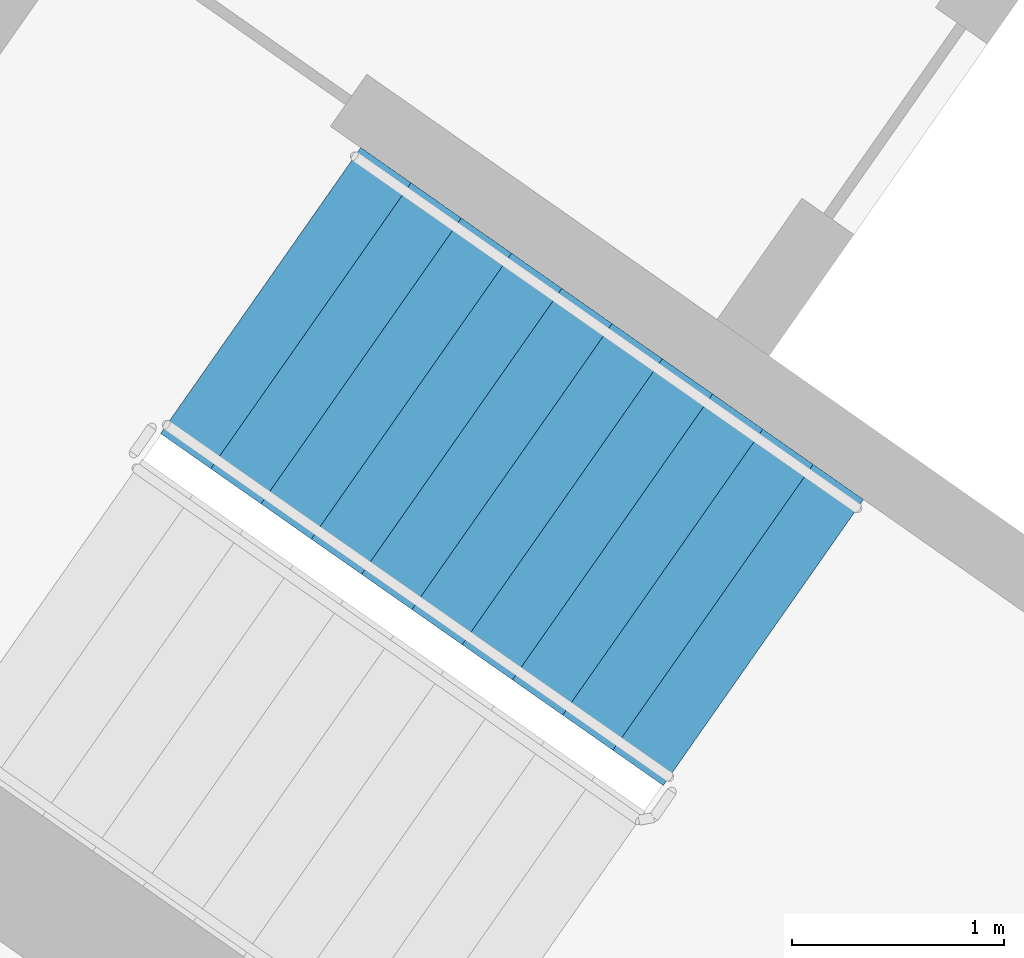
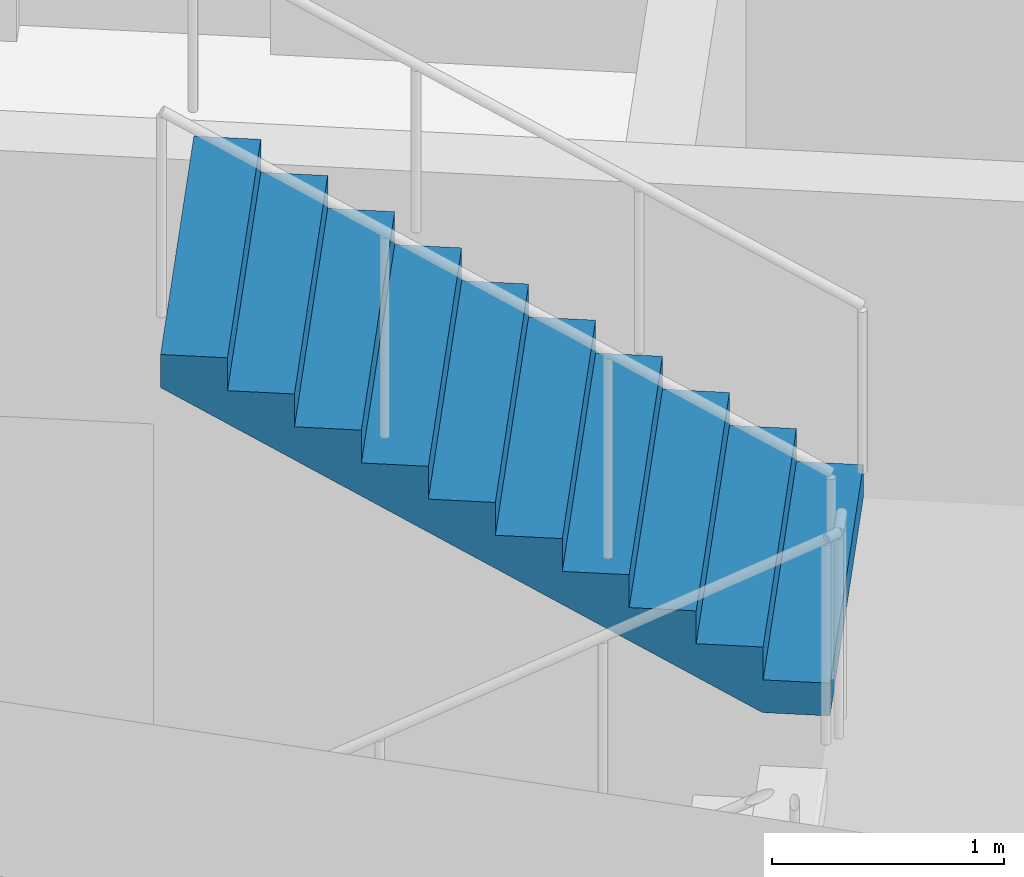
# One storey, part 10 of 27: 1 stair flight, 1 element without a shape of its own.
"""IFC4 building model written with IfcOpenShell, lengths in metres."""

from ifc_helpers import new_model, si_unit, direction, frame, origin, place, context, subcontext, project, spatial, faceted_brep, material, type_object, element, aggregate, save


model = new_model("IFC4")

# Units and contexts
model_context = context("Model", 3, precision=1e-05, world=origin(), true_north=direction((0.0, 1.0)))
body_context = subcontext(model_context, "Body", "Model", "MODEL_VIEW")
ifc_project = project(units=[si_unit("LENGTHUNIT", "METRE"), si_unit("AREAUNIT", "SQUARE_METRE"), si_unit("VOLUMEUNIT", "CUBIC_METRE"), si_unit("PLANEANGLEUNIT", "RADIAN"), si_unit("MASSUNIT", "GRAM", prefix="KILO")], contexts=[model_context])

# Site, building, storey
site_placement = place(None, origin())
site = spatial("IfcSite", under=ifc_project, at=site_placement, CompositionType="ELEMENT")
building_placement = place(site_placement, origin())
building = spatial("IfcBuilding", under=site, at=building_placement, Name="Qamariyya Broadcast Tower", CompositionType="ELEMENT")
storey_placement = place(building_placement, frame((0.0, 0.0, 237.89990234375)))
storey = spatial("IfcBuildingStorey", under=building, at=storey_placement, Name="L57", CompositionType="ELEMENT", Elevation=237.89990234375)

# Stair, stair flight
ifc_material = material(Name="Concrete C50/60", Category="concrete")
stair_type = type_object("IfcStairType", Name="Exit stair 22 risers of 173 mm", PredefinedType="HALF_TURN_STAIR", material=ifc_material)
stair_placement = place(storey_placement, origin())
stair = element("IfcStair", 1, at=stair_placement, inside=storey, type_object=stair_type, Name="L57 Stair W1", PredefinedType="HALF_TURN_STAIR")
stair_flight_type = type_object("IfcStairFlightType", Name="Exit stair flight 11 risers of 173 mm", PredefinedType="STRAIGHT", material=ifc_material)
stair_flight_placement = place(storey_placement, frame((-43.660888671875, -57.17138671875, 1.900146484375), z_axis=(0.0, 0.0, 1.0), x_axis=(-0.819152044289, 0.573576436351, 0.0)))
stair_flight = element("IfcStairFlight", 2, at=stair_flight_placement, type_object=stair_flight_type, Name="ST-W1 flight 2", NumberOfRisers=11, NumberOfTreads=10, PredefinedType="STRAIGHT", RiserHeight=0.172727273, TreadLength=0.29, context=body_context, shape_type="Brep", body=[
    faceted_brep([(0.0, 0.824951171875, 0.0), (0.0, 0.824951171875, 0.172607421875), (0.2900390625, 0.824951171875, 0.172607421875), (0.2900390625, 0.824951171875, 0.345458984375), (0.580078125, 0.824951171875, 0.345458984375), (0.580078125, 0.824951171875, 0.51806640625), (0.8701171875, 0.824951171875, 0.51806640625), (0.8701171875, 0.824951171875, 0.69091796875), (1.159912109375, 0.824951171875, 0.69091796875), (1.159912109375, 0.824951171875, 0.863525390625), (1.449951171875, 0.824951171875, 0.863525390625), (1.449951171875, 0.824951171875, 1.036376953125), (1.739990234375, 0.824951171875, 1.036376953125), (1.739990234375, 0.824951171875, 1.208984375), (2.030029296875, 0.824951171875, 1.208984375), (2.030029296875, 0.824951171875, 1.3818359375), (2.320068359375, 0.824951171875, 1.3818359375), (2.320068359375, 0.824951171875, 1.554443359375), (2.610107421875, 0.824951171875, 1.554443359375), (2.610107421875, 0.824951171875, 1.727294921875), (2.89990234375, 0.824951171875, 1.727294921875), (2.89990234375, 0.824951171875, 1.552734375), (0.29296875, 0.824951171875, 0.0), (0.29296875, -0.824951171875, 0.0), (2.89990234375, -0.824951171875, 1.552734375), (2.89990234375, -0.824951171875, 1.727294921875), (2.610107421875, -0.824951171875, 1.727294921875), (2.610107421875, -0.824951171875, 1.554443359375), (2.320068359375, -0.824951171875, 1.554443359375), (2.320068359375, -0.824951171875, 1.3818359375), (2.030029296875, -0.824951171875, 1.3818359375), (2.030029296875, -0.824951171875, 1.208984375), (1.739990234375, -0.824951171875, 1.208984375), (1.739990234375, -0.824951171875, 1.036376953125), (1.449951171875, -0.824951171875, 1.036376953125), (1.449951171875, -0.824951171875, 0.863525390625), (1.159912109375, -0.824951171875, 0.863525390625), (1.159912109375, -0.824951171875, 0.69091796875), (0.8701171875, -0.824951171875, 0.69091796875), (0.8701171875, -0.824951171875, 0.51806640625), (0.580078125, -0.824951171875, 0.51806640625), (0.580078125, -0.824951171875, 0.345458984375), (0.2900390625, -0.824951171875, 0.345458984375), (0.2900390625, -0.824951171875, 0.172607421875), (0.0, -0.824951171875, 0.172607421875), (0.0, -0.824951171875, 0.0), (0.0, 0.10009765625, 0.0), (0.0, 0.086669921875, 0.0), (0.0, 0.0732421875, 0.0), (0.0, 0.06005859375, 0.0), (0.0, 0.046630859375, 0.0), (0.0, 0.033447265625, 0.0), (0.0, 0.02001953125, 0.0), (0.0, 0.006591796875, 0.0), (0.0, -0.006591796875, 0.0), (0.0, -0.02001953125, 0.0), (0.0, -0.033447265625, 0.0), (0.0, -0.046630859375, 0.0), (0.0, -0.06005859375, 0.0), (0.0, -0.0732421875, 0.0), (0.0, -0.086669921875, 0.0), (0.0, -0.10009765625, 0.0), (0.0, -0.10009765625, 0.172607421875), (0.0, -0.086669921875, 0.172607421875), (0.0, -0.0732421875, 0.172607421875), (0.0, -0.06005859375, 0.172607421875), (0.0, -0.046630859375, 0.172607421875), (0.0, -0.033447265625, 0.172607421875), (0.0, -0.02001953125, 0.172607421875), (0.0, -0.006591796875, 0.172607421875), (0.0, 0.006591796875, 0.172607421875), (0.0, 0.02001953125, 0.172607421875), (0.0, 0.033447265625, 0.172607421875), (0.0, 0.046630859375, 0.172607421875), (0.0, 0.06005859375, 0.172607421875), (0.0, 0.0732421875, 0.172607421875), (0.0, 0.086669921875, 0.172607421875), (0.0, 0.10009765625, 0.172607421875), (0.2900390625, -0.10009765625, 0.172607421875), (0.2900390625, -0.086669921875, 0.172607421875), (0.2900390625, -0.0732421875, 0.172607421875), (0.2900390625, -0.06005859375, 0.172607421875), (0.2900390625, -0.046630859375, 0.172607421875), (0.2900390625, -0.033447265625, 0.172607421875), (0.2900390625, -0.02001953125, 0.172607421875), (0.2900390625, -0.006591796875, 0.172607421875), (0.2900390625, 0.006591796875, 0.172607421875), (0.2900390625, 0.02001953125, 0.172607421875), (0.2900390625, 0.033447265625, 0.172607421875), (0.2900390625, 0.046630859375, 0.172607421875), (0.2900390625, 0.06005859375, 0.172607421875), (0.2900390625, 0.0732421875, 0.172607421875), (0.2900390625, 0.086669921875, 0.172607421875), (0.2900390625, 0.10009765625, 0.172607421875), (0.2900390625, -0.10009765625, 0.345458984375), (0.2900390625, -0.086669921875, 0.345458984375), (0.2900390625, -0.0732421875, 0.345458984375), (0.2900390625, -0.06005859375, 0.345458984375), (0.2900390625, -0.046630859375, 0.345458984375), (0.2900390625, -0.033447265625, 0.345458984375), (0.2900390625, -0.02001953125, 0.345458984375), (0.2900390625, -0.006591796875, 0.345458984375), (0.2900390625, 0.006591796875, 0.345458984375), (0.2900390625, 0.02001953125, 0.345458984375), (0.2900390625, 0.033447265625, 0.345458984375), (0.2900390625, 0.046630859375, 0.345458984375), (0.2900390625, 0.06005859375, 0.345458984375), (0.2900390625, 0.0732421875, 0.345458984375), (0.2900390625, 0.086669921875, 0.345458984375), (0.2900390625, 0.10009765625, 0.345458984375), (0.580078125, -0.10009765625, 0.345458984375), (0.580078125, -0.086669921875, 0.345458984375), (0.580078125, -0.0732421875, 0.345458984375), (0.580078125, -0.06005859375, 0.345458984375), (0.580078125, -0.046630859375, 0.345458984375), (0.580078125, -0.033447265625, 0.345458984375), (0.580078125, -0.02001953125, 0.345458984375), (0.580078125, -0.006591796875, 0.345458984375), (0.580078125, 0.006591796875, 0.345458984375), (0.580078125, 0.02001953125, 0.345458984375), (0.580078125, 0.033447265625, 0.345458984375), (0.580078125, 0.046630859375, 0.345458984375), (0.580078125, 0.06005859375, 0.345458984375), (0.580078125, 0.0732421875, 0.345458984375), (0.580078125, 0.086669921875, 0.345458984375), (0.580078125, 0.10009765625, 0.345458984375), (0.580078125, -0.10009765625, 0.51806640625), (0.580078125, -0.086669921875, 0.51806640625), (0.580078125, -0.0732421875, 0.51806640625), (0.580078125, -0.06005859375, 0.51806640625), (0.580078125, -0.046630859375, 0.51806640625), (0.580078125, -0.033447265625, 0.51806640625), (0.580078125, -0.02001953125, 0.51806640625), (0.580078125, -0.006591796875, 0.51806640625), (0.580078125, 0.006591796875, 0.51806640625), (0.580078125, 0.02001953125, 0.51806640625), (0.580078125, 0.033447265625, 0.51806640625), (0.580078125, 0.046630859375, 0.51806640625), (0.580078125, 0.06005859375, 0.51806640625), (0.580078125, 0.0732421875, 0.51806640625), (0.580078125, 0.086669921875, 0.51806640625), (0.580078125, 0.10009765625, 0.51806640625), (0.8701171875, -0.10009765625, 0.51806640625), (0.8701171875, -0.086669921875, 0.51806640625), (0.8701171875, -0.0732421875, 0.51806640625), (0.8701171875, -0.06005859375, 0.51806640625), (0.8701171875, -0.046630859375, 0.51806640625), (0.8701171875, -0.033447265625, 0.51806640625), (0.8701171875, -0.02001953125, 0.51806640625), (0.8701171875, -0.006591796875, 0.51806640625), (0.8701171875, 0.006591796875, 0.51806640625), (0.8701171875, 0.02001953125, 0.51806640625), (0.8701171875, 0.033447265625, 0.51806640625), (0.8701171875, 0.046630859375, 0.51806640625), (0.8701171875, 0.06005859375, 0.51806640625), (0.8701171875, 0.0732421875, 0.51806640625), (0.8701171875, 0.086669921875, 0.51806640625), (0.8701171875, 0.10009765625, 0.51806640625), (0.8701171875, -0.10009765625, 0.69091796875), (0.8701171875, -0.086669921875, 0.69091796875), (0.8701171875, -0.0732421875, 0.69091796875), (0.8701171875, -0.06005859375, 0.69091796875), (0.8701171875, -0.046630859375, 0.69091796875), (0.8701171875, -0.033447265625, 0.69091796875), (0.8701171875, -0.02001953125, 0.69091796875), (0.8701171875, -0.006591796875, 0.69091796875), (0.8701171875, 0.006591796875, 0.69091796875), (0.8701171875, 0.02001953125, 0.69091796875), (0.8701171875, 0.033447265625, 0.69091796875), (0.8701171875, 0.046630859375, 0.69091796875), (0.8701171875, 0.06005859375, 0.69091796875), (0.8701171875, 0.0732421875, 0.69091796875), (0.8701171875, 0.086669921875, 0.69091796875), (0.8701171875, 0.10009765625, 0.69091796875), (1.159912109375, -0.10009765625, 0.69091796875), (1.159912109375, -0.086669921875, 0.69091796875), (1.159912109375, -0.0732421875, 0.69091796875), (1.159912109375, -0.06005859375, 0.69091796875), (1.159912109375, -0.046630859375, 0.69091796875), (1.159912109375, -0.033447265625, 0.69091796875), (1.159912109375, -0.02001953125, 0.69091796875), (1.159912109375, -0.006591796875, 0.69091796875), (1.159912109375, 0.006591796875, 0.69091796875), (1.159912109375, 0.02001953125, 0.69091796875), (1.159912109375, 0.033447265625, 0.69091796875), (1.159912109375, 0.046630859375, 0.69091796875), (1.159912109375, 0.06005859375, 0.69091796875), (1.159912109375, 0.0732421875, 0.69091796875), (1.159912109375, 0.086669921875, 0.69091796875), (1.159912109375, 0.10009765625, 0.69091796875), (1.159912109375, -0.10009765625, 0.863525390625), (1.159912109375, -0.086669921875, 0.863525390625), (1.159912109375, -0.0732421875, 0.863525390625), (1.159912109375, -0.06005859375, 0.863525390625), (1.159912109375, -0.046630859375, 0.863525390625), (1.159912109375, -0.033447265625, 0.863525390625), (1.159912109375, -0.02001953125, 0.863525390625), (1.159912109375, -0.006591796875, 0.863525390625), (1.159912109375, 0.006591796875, 0.863525390625), (1.159912109375, 0.02001953125, 0.863525390625), (1.159912109375, 0.033447265625, 0.863525390625), (1.159912109375, 0.046630859375, 0.863525390625), (1.159912109375, 0.06005859375, 0.863525390625), (1.159912109375, 0.0732421875, 0.863525390625), (1.159912109375, 0.086669921875, 0.863525390625), (1.159912109375, 0.10009765625, 0.863525390625), (1.449951171875, -0.10009765625, 0.863525390625), (1.449951171875, -0.086669921875, 0.863525390625), (1.449951171875, -0.0732421875, 0.863525390625), (1.449951171875, -0.06005859375, 0.863525390625), (1.449951171875, -0.046630859375, 0.863525390625), (1.449951171875, -0.033447265625, 0.863525390625), (1.449951171875, -0.02001953125, 0.863525390625), (1.449951171875, -0.006591796875, 0.863525390625), (1.449951171875, 0.006591796875, 0.863525390625), (1.449951171875, 0.02001953125, 0.863525390625), (1.449951171875, 0.033447265625, 0.863525390625), (1.449951171875, 0.046630859375, 0.863525390625), (1.449951171875, 0.06005859375, 0.863525390625), (1.449951171875, 0.0732421875, 0.863525390625), (1.449951171875, 0.086669921875, 0.863525390625), (1.449951171875, 0.10009765625, 0.863525390625), (1.449951171875, -0.10009765625, 1.036376953125), (1.449951171875, -0.086669921875, 1.036376953125), (1.449951171875, -0.0732421875, 1.036376953125), (1.449951171875, -0.06005859375, 1.036376953125), (1.449951171875, -0.046630859375, 1.036376953125), (1.449951171875, -0.033447265625, 1.036376953125), (1.449951171875, -0.02001953125, 1.036376953125), (1.449951171875, -0.006591796875, 1.036376953125), (1.449951171875, 0.006591796875, 1.036376953125), (1.449951171875, 0.02001953125, 1.036376953125), (1.449951171875, 0.033447265625, 1.036376953125), (1.449951171875, 0.046630859375, 1.036376953125), (1.449951171875, 0.06005859375, 1.036376953125), (1.449951171875, 0.0732421875, 1.036376953125), (1.449951171875, 0.086669921875, 1.036376953125), (1.449951171875, 0.10009765625, 1.036376953125), (1.739990234375, -0.10009765625, 1.036376953125), (1.739990234375, -0.086669921875, 1.036376953125), (1.739990234375, -0.0732421875, 1.036376953125), (1.739990234375, -0.06005859375, 1.036376953125), (1.739990234375, -0.046630859375, 1.036376953125), (1.739990234375, -0.033447265625, 1.036376953125), (1.739990234375, -0.02001953125, 1.036376953125), (1.739990234375, -0.006591796875, 1.036376953125), (1.739990234375, 0.006591796875, 1.036376953125), (1.739990234375, 0.02001953125, 1.036376953125), (1.739990234375, 0.033447265625, 1.036376953125), (1.739990234375, 0.046630859375, 1.036376953125), (1.739990234375, 0.06005859375, 1.036376953125), (1.739990234375, 0.0732421875, 1.036376953125), (1.739990234375, 0.086669921875, 1.036376953125), (1.739990234375, 0.10009765625, 1.036376953125), (1.739990234375, -0.10009765625, 1.208984375), (1.739990234375, -0.086669921875, 1.208984375), (1.739990234375, -0.0732421875, 1.208984375), (1.739990234375, -0.06005859375, 1.208984375), (1.739990234375, -0.046630859375, 1.208984375), (1.739990234375, -0.033447265625, 1.208984375), (1.739990234375, -0.02001953125, 1.208984375), (1.739990234375, -0.006591796875, 1.208984375), (1.739990234375, 0.006591796875, 1.208984375), (1.739990234375, 0.02001953125, 1.208984375), (1.739990234375, 0.033447265625, 1.208984375), (1.739990234375, 0.046630859375, 1.208984375), (1.739990234375, 0.06005859375, 1.208984375), (1.739990234375, 0.0732421875, 1.208984375), (1.739990234375, 0.086669921875, 1.208984375), (1.739990234375, 0.10009765625, 1.208984375), (2.030029296875, -0.10009765625, 1.208984375), (2.030029296875, -0.086669921875, 1.208984375), (2.030029296875, -0.0732421875, 1.208984375), (2.030029296875, -0.06005859375, 1.208984375), (2.030029296875, -0.046630859375, 1.208984375), (2.030029296875, -0.033447265625, 1.208984375), (2.030029296875, -0.02001953125, 1.208984375), (2.030029296875, -0.006591796875, 1.208984375), (2.030029296875, 0.006591796875, 1.208984375), (2.030029296875, 0.02001953125, 1.208984375), (2.030029296875, 0.033447265625, 1.208984375), (2.030029296875, 0.046630859375, 1.208984375), (2.030029296875, 0.06005859375, 1.208984375), (2.030029296875, 0.0732421875, 1.208984375), (2.030029296875, 0.086669921875, 1.208984375), (2.030029296875, 0.10009765625, 1.208984375), (2.030029296875, -0.10009765625, 1.3818359375), (2.030029296875, -0.086669921875, 1.3818359375), (2.030029296875, -0.0732421875, 1.3818359375), (2.030029296875, -0.06005859375, 1.3818359375), (2.030029296875, -0.046630859375, 1.3818359375), (2.030029296875, -0.033447265625, 1.3818359375), (2.030029296875, -0.02001953125, 1.3818359375), (2.030029296875, -0.006591796875, 1.3818359375), (2.030029296875, 0.006591796875, 1.3818359375), (2.030029296875, 0.02001953125, 1.3818359375), (2.030029296875, 0.033447265625, 1.3818359375), (2.030029296875, 0.046630859375, 1.3818359375), (2.030029296875, 0.06005859375, 1.3818359375), (2.030029296875, 0.0732421875, 1.3818359375), (2.030029296875, 0.086669921875, 1.3818359375), (2.030029296875, 0.10009765625, 1.3818359375), (2.320068359375, -0.10009765625, 1.3818359375), (2.320068359375, -0.086669921875, 1.3818359375), (2.320068359375, -0.0732421875, 1.3818359375), (2.320068359375, -0.06005859375, 1.3818359375), (2.320068359375, -0.046630859375, 1.3818359375), (2.320068359375, -0.033447265625, 1.3818359375), (2.320068359375, -0.02001953125, 1.3818359375), (2.320068359375, -0.006591796875, 1.3818359375), (2.320068359375, 0.006591796875, 1.3818359375), (2.320068359375, 0.02001953125, 1.3818359375), (2.320068359375, 0.033447265625, 1.3818359375), (2.320068359375, 0.046630859375, 1.3818359375), (2.320068359375, 0.06005859375, 1.3818359375), (2.320068359375, 0.0732421875, 1.3818359375), (2.320068359375, 0.086669921875, 1.3818359375), (2.320068359375, 0.10009765625, 1.3818359375), (2.320068359375, -0.10009765625, 1.554443359375), (2.320068359375, -0.086669921875, 1.554443359375), (2.320068359375, -0.0732421875, 1.554443359375), (2.320068359375, -0.06005859375, 1.554443359375), (2.320068359375, -0.046630859375, 1.554443359375), (2.320068359375, -0.033447265625, 1.554443359375), (2.320068359375, -0.02001953125, 1.554443359375), (2.320068359375, -0.006591796875, 1.554443359375), (2.320068359375, 0.006591796875, 1.554443359375), (2.320068359375, 0.02001953125, 1.554443359375), (2.320068359375, 0.033447265625, 1.554443359375), (2.320068359375, 0.046630859375, 1.554443359375), (2.320068359375, 0.06005859375, 1.554443359375), (2.320068359375, 0.0732421875, 1.554443359375), (2.320068359375, 0.086669921875, 1.554443359375), (2.320068359375, 0.10009765625, 1.554443359375), (2.610107421875, -0.10009765625, 1.554443359375), (2.610107421875, -0.086669921875, 1.554443359375), (2.610107421875, -0.0732421875, 1.554443359375), (2.610107421875, -0.06005859375, 1.554443359375), (2.610107421875, -0.046630859375, 1.554443359375), (2.610107421875, -0.033447265625, 1.554443359375), (2.610107421875, -0.02001953125, 1.554443359375), (2.610107421875, -0.006591796875, 1.554443359375), (2.610107421875, 0.006591796875, 1.554443359375), (2.610107421875, 0.02001953125, 1.554443359375), (2.610107421875, 0.033447265625, 1.554443359375), (2.610107421875, 0.046630859375, 1.554443359375), (2.610107421875, 0.06005859375, 1.554443359375), (2.610107421875, 0.0732421875, 1.554443359375), (2.610107421875, 0.086669921875, 1.554443359375), (2.610107421875, 0.10009765625, 1.554443359375), (2.610107421875, -0.10009765625, 1.727294921875), (2.610107421875, -0.086669921875, 1.727294921875), (2.610107421875, -0.0732421875, 1.727294921875), (2.610107421875, -0.06005859375, 1.727294921875), (2.610107421875, -0.046630859375, 1.727294921875), (2.610107421875, -0.033447265625, 1.727294921875), (2.610107421875, -0.02001953125, 1.727294921875), (2.610107421875, -0.006591796875, 1.727294921875), (2.610107421875, 0.006591796875, 1.727294921875), (2.610107421875, 0.02001953125, 1.727294921875), (2.610107421875, 0.033447265625, 1.727294921875), (2.610107421875, 0.046630859375, 1.727294921875), (2.610107421875, 0.06005859375, 1.727294921875), (2.610107421875, 0.0732421875, 1.727294921875), (2.610107421875, 0.086669921875, 1.727294921875), (2.610107421875, 0.10009765625, 1.727294921875), (2.89990234375, -0.10009765625, 1.727294921875), (2.89990234375, -0.086669921875, 1.727294921875), (2.89990234375, -0.0732421875, 1.727294921875), (2.89990234375, -0.06005859375, 1.727294921875), (2.89990234375, -0.046630859375, 1.727294921875), (2.89990234375, -0.033447265625, 1.727294921875), (2.89990234375, -0.02001953125, 1.727294921875), (2.89990234375, -0.006591796875, 1.727294921875), (2.89990234375, 0.006591796875, 1.727294921875), (2.89990234375, 0.02001953125, 1.727294921875), (2.89990234375, 0.033447265625, 1.727294921875), (2.89990234375, 0.046630859375, 1.727294921875), (2.89990234375, 0.06005859375, 1.727294921875), (2.89990234375, 0.0732421875, 1.727294921875), (2.89990234375, 0.086669921875, 1.727294921875), (2.89990234375, 0.10009765625, 1.727294921875), (2.89990234375, -0.10009765625, 1.552734375), (2.89990234375, -0.086669921875, 1.552734375), (2.89990234375, -0.0732421875, 1.552734375), (2.89990234375, -0.06005859375, 1.552734375), (2.89990234375, -0.046630859375, 1.552734375), (2.89990234375, -0.033447265625, 1.552734375), (2.89990234375, -0.02001953125, 1.552734375), (2.89990234375, -0.006591796875, 1.552734375), (2.89990234375, 0.006591796875, 1.552734375), (2.89990234375, 0.02001953125, 1.552734375), (2.89990234375, 0.033447265625, 1.552734375), (2.89990234375, 0.046630859375, 1.552734375), (2.89990234375, 0.06005859375, 1.552734375), (2.89990234375, 0.0732421875, 1.552734375), (2.89990234375, 0.086669921875, 1.552734375), (2.89990234375, 0.10009765625, 1.552734375), (0.29296875, -0.10009765625, 0.0), (0.29296875, -0.086669921875, 0.0), (0.29296875, -0.0732421875, 0.0), (0.29296875, -0.06005859375, 0.0), (0.29296875, -0.046630859375, 0.0), (0.29296875, -0.033447265625, 0.0), (0.29296875, -0.02001953125, 0.0), (0.29296875, -0.006591796875, 0.0), (0.29296875, 0.006591796875, 0.0), (0.29296875, 0.02001953125, 0.0), (0.29296875, 0.033447265625, 0.0), (0.29296875, 0.046630859375, 0.0), (0.29296875, 0.06005859375, 0.0), (0.29296875, 0.0732421875, 0.0), (0.29296875, 0.086669921875, 0.0), (0.29296875, 0.10009765625, 0.0)], [[[0, 1, 2, 3, 4, 5, 6, 7, 8, 9, 10, 11, 12, 13, 14, 15, 16, 17, 18, 19, 20, 21, 22]], [[23, 24, 25, 26, 27, 28, 29, 30, 31, 32, 33, 34, 35, 36, 37, 38, 39, 40, 41, 42, 43, 44, 45]], [[0, 46, 47, 48, 49, 50, 51, 52, 53, 54, 55, 56, 57, 58, 59, 60, 61, 45, 44, 62, 63, 64, 65, 66, 67, 68, 69, 70, 71, 72, 73, 74, 75, 76, 77, 1]], [[1, 77, 76, 75, 74, 73, 72, 71, 70, 69, 68, 67, 66, 65, 64, 63, 62, 44, 43, 78, 79, 80, 81, 82, 83, 84, 85, 86, 87, 88, 89, 90, 91, 92, 93, 2]], [[2, 93, 92, 91, 90, 89, 88, 87, 86, 85, 84, 83, 82, 81, 80, 79, 78, 43, 42, 94, 95, 96, 97, 98, 99, 100, 101, 102, 103, 104, 105, 106, 107, 108, 109, 3]], [[3, 109, 108, 107, 106, 105, 104, 103, 102, 101, 100, 99, 98, 97, 96, 95, 94, 42, 41, 110, 111, 112, 113, 114, 115, 116, 117, 118, 119, 120, 121, 122, 123, 124, 125, 4]], [[4, 125, 124, 123, 122, 121, 120, 119, 118, 117, 116, 115, 114, 113, 112, 111, 110, 41, 40, 126, 127, 128, 129, 130, 131, 132, 133, 134, 135, 136, 137, 138, 139, 140, 141, 5]], [[5, 141, 140, 139, 138, 137, 136, 135, 134, 133, 132, 131, 130, 129, 128, 127, 126, 40, 39, 142, 143, 144, 145, 146, 147, 148, 149, 150, 151, 152, 153, 154, 155, 156, 157, 6]], [[6, 157, 156, 155, 154, 153, 152, 151, 150, 149, 148, 147, 146, 145, 144, 143, 142, 39, 38, 158, 159, 160, 161, 162, 163, 164, 165, 166, 167, 168, 169, 170, 171, 172, 173, 7]], [[7, 173, 172, 171, 170, 169, 168, 167, 166, 165, 164, 163, 162, 161, 160, 159, 158, 38, 37, 174, 175, 176, 177, 178, 179, 180, 181, 182, 183, 184, 185, 186, 187, 188, 189, 8]], [[8, 189, 188, 187, 186, 185, 184, 183, 182, 181, 180, 179, 178, 177, 176, 175, 174, 37, 36, 190, 191, 192, 193, 194, 195, 196, 197, 198, 199, 200, 201, 202, 203, 204, 205, 9]], [[9, 205, 204, 203, 202, 201, 200, 199, 198, 197, 196, 195, 194, 193, 192, 191, 190, 36, 35, 206, 207, 208, 209, 210, 211, 212, 213, 214, 215, 216, 217, 218, 219, 220, 221, 10]], [[10, 221, 220, 219, 218, 217, 216, 215, 214, 213, 212, 211, 210, 209, 208, 207, 206, 35, 34, 222, 223, 224, 225, 226, 227, 228, 229, 230, 231, 232, 233, 234, 235, 236, 237, 11]], [[11, 237, 236, 235, 234, 233, 232, 231, 230, 229, 228, 227, 226, 225, 224, 223, 222, 34, 33, 238, 239, 240, 241, 242, 243, 244, 245, 246, 247, 248, 249, 250, 251, 252, 253, 12]], [[12, 253, 252, 251, 250, 249, 248, 247, 246, 245, 244, 243, 242, 241, 240, 239, 238, 33, 32, 254, 255, 256, 257, 258, 259, 260, 261, 262, 263, 264, 265, 266, 267, 268, 269, 13]], [[13, 269, 268, 267, 266, 265, 264, 263, 262, 261, 260, 259, 258, 257, 256, 255, 254, 32, 31, 270, 271, 272, 273, 274, 275, 276, 277, 278, 279, 280, 281, 282, 283, 284, 285, 14]], [[14, 285, 284, 283, 282, 281, 280, 279, 278, 277, 276, 275, 274, 273, 272, 271, 270, 31, 30, 286, 287, 288, 289, 290, 291, 292, 293, 294, 295, 296, 297, 298, 299, 300, 301, 15]], [[15, 301, 300, 299, 298, 297, 296, 295, 294, 293, 292, 291, 290, 289, 288, 287, 286, 30, 29, 302, 303, 304, 305, 306, 307, 308, 309, 310, 311, 312, 313, 314, 315, 316, 317, 16]], [[16, 317, 316, 315, 314, 313, 312, 311, 310, 309, 308, 307, 306, 305, 304, 303, 302, 29, 28, 318, 319, 320, 321, 322, 323, 324, 325, 326, 327, 328, 329, 330, 331, 332, 333, 17]], [[17, 333, 332, 331, 330, 329, 328, 327, 326, 325, 324, 323, 322, 321, 320, 319, 318, 28, 27, 334, 335, 336, 337, 338, 339, 340, 341, 342, 343, 344, 345, 346, 347, 348, 349, 18]], [[18, 349, 348, 347, 346, 345, 344, 343, 342, 341, 340, 339, 338, 337, 336, 335, 334, 27, 26, 350, 351, 352, 353, 354, 355, 356, 357, 358, 359, 360, 361, 362, 363, 364, 365, 19]], [[19, 365, 364, 363, 362, 361, 360, 359, 358, 357, 356, 355, 354, 353, 352, 351, 350, 26, 25, 366, 367, 368, 369, 370, 371, 372, 373, 374, 375, 376, 377, 378, 379, 380, 381, 20]], [[20, 381, 380, 379, 378, 377, 376, 375, 374, 373, 372, 371, 370, 369, 368, 367, 366, 25, 24, 382, 383, 384, 385, 386, 387, 388, 389, 390, 391, 392, 393, 394, 395, 396, 397, 21]], [[21, 397, 396, 395, 394, 393, 392, 391, 390, 389, 388, 387, 386, 385, 384, 383, 382, 24, 23, 398, 399, 400, 401, 402, 403, 404, 405, 406, 407, 408, 409, 410, 411, 412, 413, 22]], [[22, 413, 412, 411, 410, 409, 408, 407, 406, 405, 404, 403, 402, 401, 400, 399, 398, 23, 45, 61, 60, 59, 58, 57, 56, 55, 54, 53, 52, 51, 50, 49, 48, 47, 46, 0]]]),
])
aggregate(stair, [stair_flight])

save(model, "model.ifc")
